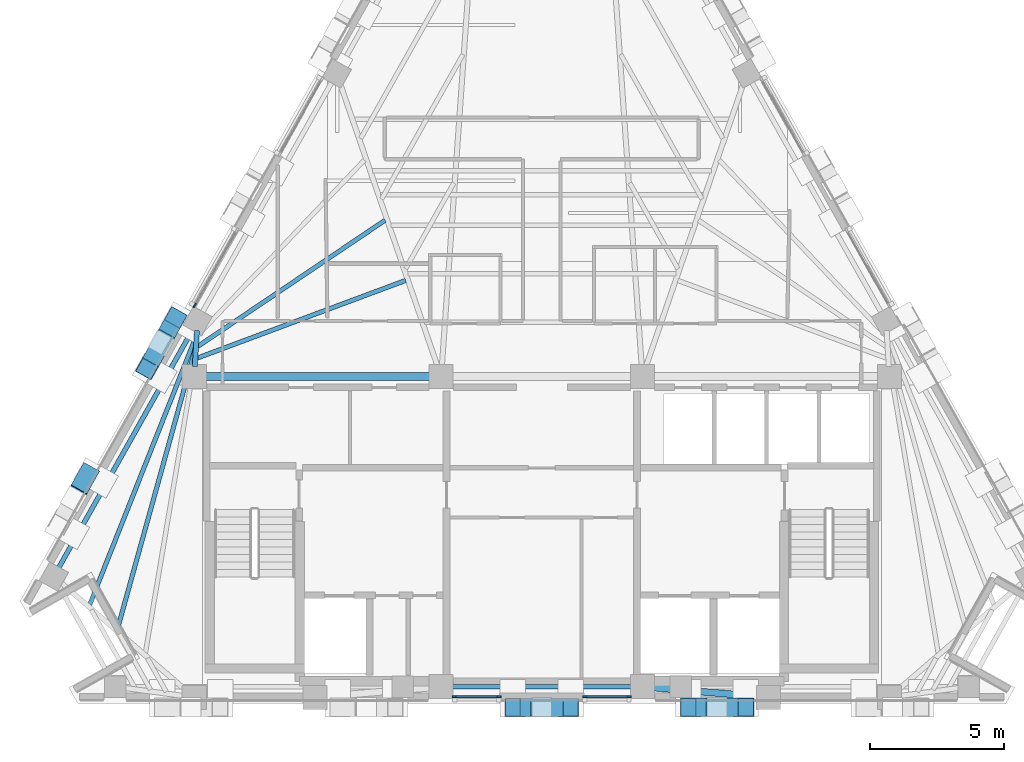
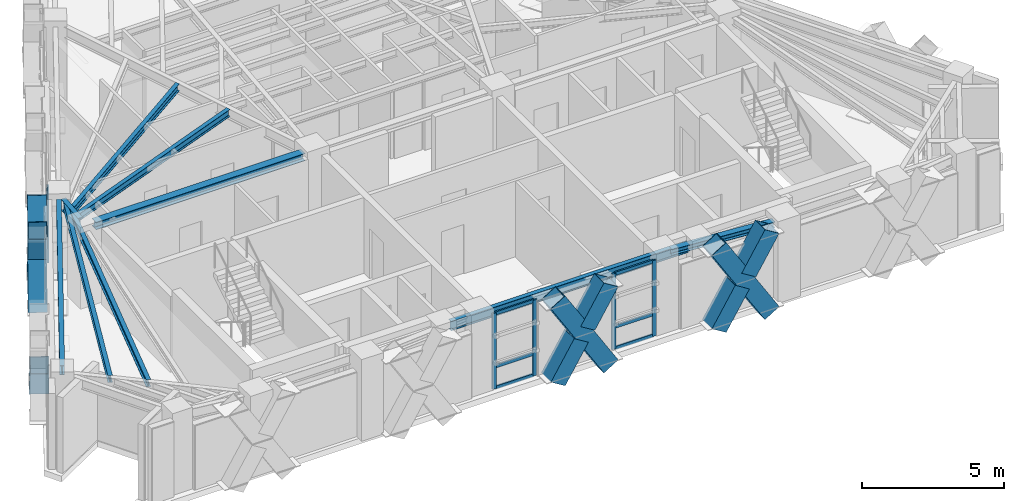
# One storey, part 2 of 11: 21 members, 9 beams, 3 elements without a shape of their own.
"""IFC4 building model written with IfcOpenShell, lengths in metres."""

from ifc_helpers import new_model, si_unit, direction, frame, origin, origin_2d, place, context, subcontext, project, spatial, rectangle, hollow_rectangle, i_section, extrude, material, material_profile, profile_set, type_object, element, aggregate, save


model = new_model("IFC4")

# Units and contexts
model_context = context("Model", 3, precision=1e-05, world=origin(), true_north=direction((0.0, 1.0)))
body_context = subcontext(model_context, "Body", "Model", "MODEL_VIEW")
ifc_project = project(units=[si_unit("LENGTHUNIT", "METRE"), si_unit("AREAUNIT", "SQUARE_METRE"), si_unit("VOLUMEUNIT", "CUBIC_METRE"), si_unit("PLANEANGLEUNIT", "RADIAN"), si_unit("MASSUNIT", "GRAM", prefix="KILO")], contexts=[model_context])

# Site, building, storey
site_placement = place(None, origin())
site = spatial("IfcSite", under=ifc_project, at=site_placement, CompositionType="ELEMENT")
building_placement = place(site_placement, origin())
building = spatial("IfcBuilding", under=site, at=building_placement, Name="Quenlor Broadcast Tower", CompositionType="ELEMENT")
storey_placement = place(building_placement, frame((0.0, 0.0, 253.39990234375)))
storey = spatial("IfcBuildingStorey", under=building, at=storey_placement, Name="L70", CompositionType="ELEMENT", Elevation=253.39990234375)

# Curtain wall, members
ifc_material_1 = material(Name="Architectural Terracotta and Low-E Glazing", Category="masonry")
curtain_wall_type = type_object("IfcCurtainWallType", Name="Unitised Terracotta Curtain Wall System Z5", PredefinedType="NOTDEFINED", material=ifc_material_1)
curtain_wall_1_placement = place(storey_placement, origin())
curtain_wall_1 = element("IfcCurtainWall", 1, at=curtain_wall_1_placement, inside=storey, type_object=curtain_wall_type, Name="L70 Curtain Wall CW5 (L70-S-G1)", PredefinedType="NOTDEFINED")
ifc_material_2 = material(Name="Aluminium 6063-T6", Category="aluminium")
ifc_material_profile_1 = material_profile(ifc_material_2, rectangle(XDim=0.06494140625, YDim=0.169921875, at=origin_2d()))
ifc_profile_set_1 = profile_set([ifc_material_profile_1], Name="Aluminium 6063-T6 MULL65x170")
member_type_1 = type_object("IfcMemberType", Name="CW5 Aluminium Mullion MULL_CW5", PredefinedType="MULLION", material=ifc_profile_set_1)
member_1_placement = place(storey_placement, frame((3.24755859375, -16.72509765625, 0.0), z_axis=(0.0, 0.0, 1.0), x_axis=(0.0, -1.0, 0.0)))
member_1 = element("IfcMember", 2, at=member_1_placement, type_object=member_type_1, Name="CW5 mullion 1", PredefinedType="MULLION", context=body_context, shape_type="SweptSolid", body=[
    extrude(rectangle(XDim=0.06494140625, YDim=0.169921875, at=origin_2d()), origin(), (0.0, 0.0, 1.0), 3.25),
])
member_2_placement = place(storey_placement, frame((1.60400390625, -16.72509765625, 0.0), z_axis=(0.0, 0.0, 1.0), x_axis=(0.0, -1.0, 0.0)))
member_2 = element("IfcMember", 3, at=member_2_placement, type_object=member_type_1, Name="CW5 mullion 2", PredefinedType="MULLION", context=body_context, shape_type="SweptSolid", body=[
    extrude(rectangle(XDim=0.06494140625, YDim=0.169921875, at=origin_2d()), origin(), (0.0, 0.0, 1.0), 3.25),
])

curtain_wall_2_placement = place(storey_placement, origin())
curtain_wall_2 = element("IfcCurtainWall", 4, at=curtain_wall_2_placement, inside=storey, type_object=curtain_wall_type, Name="L70 Curtain Wall CW5 (L70-S-G2)", PredefinedType="NOTDEFINED")
member_3_placement = place(storey_placement, frame((-1.60400390625, -16.72509765625, 0.0), z_axis=(0.0, 0.0, 1.0), x_axis=(0.0, -1.0, 0.0)))
member_3 = element("IfcMember", 5, at=member_3_placement, type_object=member_type_1, Name="CW5 mullion 1", PredefinedType="MULLION", context=body_context, shape_type="SweptSolid", body=[
    extrude(rectangle(XDim=0.06494140625, YDim=0.169921875, at=origin_2d()), origin(), (0.0, 0.0, 1.0), 3.25),
])
member_4_placement = place(storey_placement, frame((-3.24755859375, -16.72509765625, 0.0), z_axis=(0.0, 0.0, 1.0), x_axis=(0.0, -1.0, 0.0)))
member_4 = element("IfcMember", 6, at=member_4_placement, type_object=member_type_1, Name="CW5 mullion 2", PredefinedType="MULLION", context=body_context, shape_type="SweptSolid", body=[
    extrude(rectangle(XDim=0.06494140625, YDim=0.169921875, at=origin_2d()), origin(), (0.0, 0.0, 1.0), 3.25),
])

# Curtain wall, member
curtain_wall_3_placement = place(storey_placement, origin())
curtain_wall_3 = element("IfcCurtainWall", 7, at=curtain_wall_3_placement, inside=storey, type_object=curtain_wall_type, Name="L70 Curtain Wall CW5 (L70-NW-G1)", PredefinedType="NOTDEFINED")
member_5_placement = place(storey_placement, frame((-12.930419921875, -2.1484375, 0.0), z_axis=(0.0, 0.0, 1.0), x_axis=(-0.871574721405, 0.490262689797, 0.0)))
member_5 = element("IfcMember", 8, at=member_5_placement, type_object=member_type_1, Name="CW5 mullion 1", PredefinedType="MULLION", context=body_context, shape_type="SweptSolid", body=[
    extrude(rectangle(XDim=0.06494140625, YDim=0.169921875, at=origin_2d()), origin(), (0.0, 0.0, 1.0), 3.25),
])
aggregate(curtain_wall_3, [member_5])

# Member
ifc_material_3 = material(Name="Aluminium 6063-T6", Category="aluminium")
ifc_material_profile_2 = material_profile(ifc_material_3, rectangle(XDim=0.06494140625, YDim=0.139892578125, at=origin_2d()))
ifc_profile_set_2 = profile_set([ifc_material_profile_2], Name="Aluminium 6063-T6 TRAN65x140")
member_type_2 = type_object("IfcMemberType", Name="CW5 Aluminium Transom TRAN_CW5", PredefinedType="USERDEFINED", material=ifc_profile_set_2)
member_6_placement = place(storey_placement, frame((3.215087890625, -16.72509765625, 0.03271484375), z_axis=(-1.0, 0.0, 0.0), x_axis=(0.0, -1.0, 0.0)))
member_6 = element("IfcMember", 9, at=member_6_placement, type_object=member_type_2, Name="CW5 transom 1.1", ObjectType="TRANSOM", PredefinedType="USERDEFINED", context=body_context, shape_type="SweptSolid", body=[
    extrude(rectangle(XDim=0.06494140625, YDim=0.139892578125, at=origin_2d()), origin(), (0.0, 0.0, 1.0), 1.578369140625),
])

member_7_placement = place(storey_placement, frame((3.215087890625, -16.72509765625, 0.9501953125), z_axis=(-1.0, 0.0, 0.0), x_axis=(0.0, -1.0, 0.0)))
member_7 = element("IfcMember", 10, at=member_7_placement, type_object=member_type_2, Name="CW5 transom 1.2", ObjectType="TRANSOM", PredefinedType="USERDEFINED", context=body_context, shape_type="SweptSolid", body=[
    extrude(rectangle(XDim=0.06494140625, YDim=0.139892578125, at=origin_2d()), origin(), (0.0, 0.0, 1.0), 1.578369140625),
])

member_8_placement = place(storey_placement, frame((3.215087890625, -16.72509765625, 3.217529296875), z_axis=(-1.0, 0.0, 0.0), x_axis=(0.0, -1.0, 0.0)))
member_8 = element("IfcMember", 11, at=member_8_placement, type_object=member_type_2, Name="CW5 transom 1.3", ObjectType="TRANSOM", PredefinedType="USERDEFINED", context=body_context, shape_type="SweptSolid", body=[
    extrude(rectangle(XDim=0.06494140625, YDim=0.139892578125, at=origin_2d()), origin(), (0.0, 0.0, 1.0), 1.578369140625),
])

aggregate(curtain_wall_1, [member_1, member_2, member_6, member_7, member_8])

member_9_placement = place(storey_placement, frame((-1.63671875, -16.72509765625, 0.03271484375), z_axis=(-1.0, 0.0, 0.0), x_axis=(0.0, -1.0, 0.0)))
member_9 = element("IfcMember", 12, at=member_9_placement, type_object=member_type_2, Name="CW5 transom 1.1", ObjectType="TRANSOM", PredefinedType="USERDEFINED", context=body_context, shape_type="SweptSolid", body=[
    extrude(rectangle(XDim=0.06494140625, YDim=0.139892578125, at=origin_2d()), origin(), (0.0, 0.0, 1.0), 1.578369140625),
])

member_10_placement = place(storey_placement, frame((-1.63671875, -16.72509765625, 0.9501953125), z_axis=(-1.0, 0.0, 0.0), x_axis=(0.0, -1.0, 0.0)))
member_10 = element("IfcMember", 13, at=member_10_placement, type_object=member_type_2, Name="CW5 transom 1.2", ObjectType="TRANSOM", PredefinedType="USERDEFINED", context=body_context, shape_type="SweptSolid", body=[
    extrude(rectangle(XDim=0.06494140625, YDim=0.139892578125, at=origin_2d()), origin(), (0.0, 0.0, 1.0), 1.578369140625),
])

member_11_placement = place(storey_placement, frame((-1.63671875, -16.72509765625, 3.217529296875), z_axis=(-1.0, 0.0, 0.0), x_axis=(0.0, -1.0, 0.0)))
member_11 = element("IfcMember", 14, at=member_11_placement, type_object=member_type_2, Name="CW5 transom 1.3", ObjectType="TRANSOM", PredefinedType="USERDEFINED", context=body_context, shape_type="SweptSolid", body=[
    extrude(rectangle(XDim=0.06494140625, YDim=0.139892578125, at=origin_2d()), origin(), (0.0, 0.0, 1.0), 1.578369140625),
])

aggregate(curtain_wall_2, [member_3, member_4, member_9, member_10, member_11])

# Beams
ifc_material_4 = material(Name="Steel S355", Category="steel")
ifc_material_profile_3 = material_profile(ifc_material_4, i_section(OverallWidth=0.25390625, OverallDepth=0.25390625, WebThickness=0.008544921875, FlangeThickness=0.01416015625, FilletRadius=0.013916015625, at=origin_2d()))
ifc_profile_set_3 = profile_set([ifc_material_profile_3], Name="Steel S355 250UC72.9")
beam_type_1 = type_object("IfcBeamType", Name="Core Opening Lintel Beam Steel S355 250UC72.9", PredefinedType="LINTEL", material=ifc_profile_set_3)
beam_1_placement = place(storey_placement, frame((4.108642578125, -16.380615234375, 3.123291015625), z_axis=(0.996399763903, -0.084779186679, 0.0), x_axis=(0.084779186679, 0.996399763903, 0.0)))
element("IfcBeam", 15, at=beam_1_placement, inside=storey, type_object=beam_type_1, Name="L70 Core Opening Lintel Beam 5", PredefinedType="LINTEL", context=body_context, shape_type="SweptSolid", body=[
    extrude(i_section(OverallWidth=0.25390625, OverallDepth=0.25390625, WebThickness=0.008544921875, FlangeThickness=0.01416015625, FilletRadius=0.013916015625, at=origin_2d()), origin(), (0.0, 0.0, 1.0), 3.9970703125),
])
ifc_material_5 = material(Name="Steel S355", Category="steel")
ifc_material_profile_4 = material_profile(ifc_material_5, i_section(OverallWidth=0.306884765625, OverallDepth=0.314697265625, WebThickness=0.011962890625, FlangeThickness=0.018798828125, FilletRadius=0.0166015625, at=origin_2d()))
ifc_profile_set_4 = profile_set([ifc_material_profile_4], Name="Steel S355 310UC118")
beam_type_2 = type_object("IfcBeamType", Name="Core Tie Beam Steel S355 310UC118", PredefinedType="BEAM", material=ifc_profile_set_4)
beam_2_placement = place(storey_placement, frame((-12.590087890625, -4.800048828125, 3.0927734375), z_axis=(1.0, 0.0, 0.0), x_axis=(0.0, 1.0, 0.0)))
element("IfcBeam", 16, at=beam_2_placement, inside=storey, type_object=beam_type_2, Name="L70 Core Tie Beam 1", PredefinedType="BEAM", context=body_context, shape_type="SweptSolid", body=[
    extrude(i_section(OverallWidth=0.306884765625, OverallDepth=0.314697265625, WebThickness=0.011962890625, FlangeThickness=0.018798828125, FilletRadius=0.0166015625, at=origin_2d()), origin(), (0.0, 0.0, 1.0), 8.47998046875),
])

# Members
ifc_material_6 = material(Name="Steel S355", Category="steel")
ifc_material_profile_5 = material_profile(ifc_material_6, hollow_rectangle(XDim=0.679931640625, YDim=0.679931640625, WallThickness=0.02001953125, at=origin_2d()))
ifc_profile_set_5 = profile_set([ifc_material_profile_5], Name="Steel S355 RHS680x680x20")
member_type_3 = type_object("IfcMemberType", Name="Perimeter Diagonal Lattice Brace Z5-Crown Steel S355 RHS680x20", PredefinedType="BRACE", material=ifc_profile_set_5)
member_12_placement = place(storey_placement, frame((7.607666015625, -17.1201171875, -0.119873046875), z_axis=(-0.5236596973, 0.0, 0.851927532965), x_axis=(0.0, -1.0, 0.0)))
element("IfcMember", 17, at=member_12_placement, inside=storey, type_object=member_type_3, Name="L70 Perimeter Diamond Lattice S-C2XA", PredefinedType="BRACE", context=body_context, shape_type="SweptSolid", body=[
    extrude(hollow_rectangle(XDim=0.679931640625, YDim=0.679931640625, WallThickness=0.02001953125, at=origin_2d()), origin(), (0.0, 0.0, 1.0), 4.1083984375),
])
member_13_placement = place(storey_placement, frame((5.456298828125, -17.1201171875, -0.119873046875), z_axis=(0.523719849356, 0.0, 0.851890555993), x_axis=(0.0, 1.0, 0.0)))
element("IfcMember", 18, at=member_13_placement, inside=storey, type_object=member_type_3, Name="L70 Perimeter Diamond Lattice S-C2XB1", PredefinedType="BRACE", context=body_context, shape_type="SweptSolid", body=[
    extrude(hollow_rectangle(XDim=0.679931640625, YDim=0.679931640625, WallThickness=0.02001953125, at=origin_2d()), origin(), (0.0, 0.0, 1.0), 1.803955078125),
])
member_14_placement = place(storey_placement, frame((6.662841796875, -17.1201171875, 1.843017578125), z_axis=(0.523659478087, 0.0, 0.85192766771), x_axis=(0.0, 1.0, 0.0)))
element("IfcMember", 19, at=member_14_placement, inside=storey, type_object=member_type_3, Name="L70 Perimeter Diamond Lattice S-C2XB2", PredefinedType="BRACE", context=body_context, shape_type="SweptSolid", body=[
    extrude(hollow_rectangle(XDim=0.679931640625, YDim=0.679931640625, WallThickness=0.02001953125, at=origin_2d()), origin(), (0.0, 0.0, 1.0), 1.80419921875),
])
member_15_placement = place(storey_placement, frame((1.07568359375, -17.1201171875, -0.119873046875), z_axis=(-0.5236596973, 0.0, 0.851927532965), x_axis=(0.0, -1.0, 0.0)))
element("IfcMember", 20, at=member_15_placement, inside=storey, type_object=member_type_3, Name="L70 Perimeter Diamond Lattice S-C3XA", PredefinedType="BRACE", context=body_context, shape_type="SweptSolid", body=[
    extrude(hollow_rectangle(XDim=0.679931640625, YDim=0.679931640625, WallThickness=0.02001953125, at=origin_2d()), origin(), (0.0, 0.0, 1.0), 4.1083984375),
])
member_16_placement = place(storey_placement, frame((-1.07568359375, -17.1201171875, -0.119873046875), z_axis=(0.523719849356, 0.0, 0.851890555993), x_axis=(0.0, 1.0, 0.0)))
element("IfcMember", 21, at=member_16_placement, inside=storey, type_object=member_type_3, Name="L70 Perimeter Diamond Lattice S-C3XB1", PredefinedType="BRACE", context=body_context, shape_type="SweptSolid", body=[
    extrude(hollow_rectangle(XDim=0.679931640625, YDim=0.679931640625, WallThickness=0.02001953125, at=origin_2d()), origin(), (0.0, 0.0, 1.0), 1.803955078125),
])
member_17_placement = place(storey_placement, frame((0.130859375, -17.1201171875, 1.843017578125), z_axis=(0.523659478087, 0.0, 0.85192766771), x_axis=(0.0, 1.0, 0.0)))
element("IfcMember", 22, at=member_17_placement, inside=storey, type_object=member_type_3, Name="L70 Perimeter Diamond Lattice S-C3XB2", PredefinedType="BRACE", context=body_context, shape_type="SweptSolid", body=[
    extrude(hollow_rectangle(XDim=0.679931640625, YDim=0.679931640625, WallThickness=0.02001953125, at=origin_2d()), origin(), (0.0, 0.0, 1.0), 1.80419921875),
])
member_18_placement = place(storey_placement, frame((-16.905517578125, -8.40966796875, -0.119873046875), z_axis=(-0.26068648878, -0.463293264743, 0.846995811921), x_axis=(0.871507987664, -0.490381308207, 0.0)))
element("IfcMember", 23, at=member_18_placement, inside=storey, type_object=member_type_3, Name="L70 Perimeter Diamond Lattice NW-C1XB1", PredefinedType="BRACE", context=body_context, shape_type="SweptSolid", body=[
    extrude(hollow_rectangle(XDim=0.679931640625, YDim=0.679931640625, WallThickness=0.02001953125, at=origin_2d()), origin(), (0.0, 0.0, 1.0), 1.81591796875),
])
member_19_placement = place(storey_placement, frame((-14.712646484375, -4.510986328125, -0.119873046875), z_axis=(0.260563732169, 0.463283497491, 0.847038926161), x_axis=(-0.871602253711, 0.49021374045, 0.0)))
element("IfcMember", 24, at=member_19_placement, inside=storey, type_object=member_type_3, Name="L70 Perimeter Diamond Lattice NW-C2XA", PredefinedType="BRACE", context=body_context, shape_type="SweptSolid", body=[
    extrude(hollow_rectangle(XDim=0.679931640625, YDim=0.679931640625, WallThickness=0.02001953125, at=origin_2d()), origin(), (0.0, 0.0, 1.0), 4.132080078125),
])
for number, where, z_axis, x_axis, name in (
    (25, (-13.635986328125, -2.5966796875, -0.119873046875), (-0.260561174869, -0.463309498762, 0.847025491062), (0.871616063886, -0.490189185087, 0.0), "L70 Perimeter Diamond Lattice NW-C2XB1"),
    (26, (-14.239501953125, -3.669921875, 1.841796875), (-0.26054772884, -0.463151148531, 0.847116222611), (0.871555267041, -0.490297273593, 0.0), "L70 Perimeter Diamond Lattice NW-C2XB2"),
):
    element("IfcMember", number, at=place(storey_placement, frame(where, z_axis=z_axis, x_axis=x_axis)), inside=storey, type_object=member_type_3, Name=name, PredefinedType="BRACE", context=body_context, shape_type="SweptSolid", body=[
        extrude(hollow_rectangle(XDim=0.679931640625, YDim=0.679931640625, WallThickness=0.02001953125, at=origin_2d()), origin(), (0.0, 0.0, 1.0), 1.81591796875),
    ])

# Beams
ifc_material_7 = material(Name="Steel S355", Category="steel")
ifc_material_profile_6 = material_profile(ifc_material_7, i_section(OverallWidth=0.177978515625, OverallDepth=0.406494140625, WebThickness=0.0078125, FlangeThickness=0.0126953125, FilletRadius=0.011474609375, at=origin_2d()))
ifc_profile_set_6 = profile_set([ifc_material_profile_6], Name="Steel S355 410UB59.7")
beam_type_3 = type_object("IfcBeamType", Name="Perimeter Spandrel Beam Z5 Steel S355 410UB59.7", PredefinedType="SPANDREL", material=ifc_profile_set_6)
beam_3_placement = place(storey_placement, frame((-4.823974609375, -16.35009765625, 3.046875), z_axis=(1.0, 0.0, 0.0), x_axis=(0.0, 1.0, 0.0)))
element("IfcBeam", 27, at=beam_3_placement, inside=storey, type_object=beam_type_3, Name="L70 Spandrel Beam S2-S3", PredefinedType="SPANDREL", context=body_context, shape_type="SweptSolid", body=[
    extrude(i_section(OverallWidth=0.177978515625, OverallDepth=0.406494140625, WebThickness=0.0078125, FlangeThickness=0.0126953125, FilletRadius=0.011474609375, at=origin_2d()), origin(), (0.0, 0.0, 1.0), 9.64794921875),
])
beam_4_placement = place(storey_placement, frame((-13.001953125, -3.04052734375, 3.046875), z_axis=(-0.490274867878, -0.871567871096, 0.0), x_axis=(0.871567871096, -0.490274867878, 0.0)))
element("IfcBeam", 28, at=beam_4_placement, inside=storey, type_object=beam_type_3, Name="L70 Spandrel Beam NW3-NW4", PredefinedType="SPANDREL", context=body_context, shape_type="SweptSolid", body=[
    extrude(i_section(OverallWidth=0.177978515625, OverallDepth=0.406494140625, WebThickness=0.0078125, FlangeThickness=0.0126953125, FilletRadius=0.011474609375, at=origin_2d()), origin(), (0.0, 0.0, 1.0), 10.206298828125),
])
ifc_material_8 = material(Name="Steel S355", Category="steel")
ifc_material_profile_7 = material_profile(ifc_material_8, i_section(OverallWidth=0.166015625, OverallDepth=0.30712890625, WebThickness=0.006591796875, FlangeThickness=0.01171875, FilletRadius=0.011474609375, at=origin_2d()))
ifc_profile_set_7 = profile_set([ifc_material_profile_7], Name="Steel S355 310UB46.2")
beam_type_4 = type_object("IfcBeamType", Name="Tower Composite Joist Z4-Z5 Steel S355 310UB46.2", PredefinedType="JOIST", material=ifc_profile_set_7)
beam_5_placement = place(storey_placement, frame((-12.835205078125, -4.108642578125, 3.096435546875), z_axis=(0.937062080226, 0.349162795559, 0.0), x_axis=(-0.349162795559, 0.937062080226, 0.0)))
element("IfcBeam", 29, at=beam_5_placement, inside=storey, type_object=beam_type_4, Name="L70 Secondary Composite Joist 7", PredefinedType="JOIST", context=body_context, shape_type="SweptSolid", body=[
    extrude(i_section(OverallWidth=0.166015625, OverallDepth=0.30712890625, WebThickness=0.006591796875, FlangeThickness=0.01171875, FilletRadius=0.011474609375, at=origin_2d()), origin(), (0.0, 0.0, 1.0), 8.286376953125),
])
beam_6_placement = place(storey_placement, frame((-12.81884765625, -3.67724609375, 3.096435546875), z_axis=(0.829286301475, 0.558823970661, 0.0), x_axis=(-0.558823970661, 0.829286301475, 0.0)))
element("IfcBeam", 30, at=beam_6_placement, inside=storey, type_object=beam_type_4, Name="L70 Secondary Composite Joist 8", PredefinedType="JOIST", context=body_context, shape_type="SweptSolid", body=[
    extrude(i_section(OverallWidth=0.166015625, OverallDepth=0.30712890625, WebThickness=0.006591796875, FlangeThickness=0.01171875, FilletRadius=0.011474609375, at=origin_2d()), origin(), (0.0, 0.0, 1.0), 8.415771484375),
])
beam_7_placement = place(storey_placement, frame((-15.806396484375, -14.197998046875, 3.096435546875), z_axis=(0.26744552871, 0.96357298072, 0.0), x_axis=(-0.96357298072, 0.26744552871, 0.0)))
element("IfcBeam", 31, at=beam_7_placement, inside=storey, type_object=beam_type_4, Name="L70 Secondary Composite Joist 14", PredefinedType="JOIST", context=body_context, shape_type="SweptSolid", body=[
    extrude(i_section(OverallWidth=0.166015625, OverallDepth=0.30712890625, WebThickness=0.006591796875, FlangeThickness=0.01171875, FilletRadius=0.011474609375, at=origin_2d()), origin(), (0.0, 0.0, 1.0), 10.856689453125),
])
beam_8_placement = place(storey_placement, frame((-16.8447265625, -13.300537109375, 3.096435546875), z_axis=(0.368680258049, 0.929556274426, 0.0), x_axis=(-0.929556274426, 0.368680258049, 0.0)))
element("IfcBeam", 32, at=beam_8_placement, inside=storey, type_object=beam_type_4, Name="L70 Secondary Composite Joist 15", PredefinedType="JOIST", context=body_context, shape_type="SweptSolid", body=[
    extrude(i_section(OverallWidth=0.166015625, OverallDepth=0.30712890625, WebThickness=0.006591796875, FlangeThickness=0.01171875, FilletRadius=0.011474609375, at=origin_2d()), origin(), (0.0, 0.0, 1.0), 10.737548828125),
])
ifc_material_9 = material(Name="Steel S355", Category="steel")
ifc_material_profile_8 = material_profile(ifc_material_9, i_section(OverallWidth=0.19091796875, OverallDepth=0.46044921875, WebThickness=0.010009765625, FlangeThickness=0.01611328125, FilletRadius=0.011474609375, at=origin_2d()))
ifc_profile_set_8 = profile_set([ifc_material_profile_8], Name="Steel S355 460UB82.1")
beam_type_5 = type_object("IfcBeamType", Name="Tower Primary Floor Beam Z5 Steel S355 460UB82.1", PredefinedType="BEAM", material=ifc_profile_set_8)
beam_9_placement = place(storey_placement, frame((-12.84716796875, -3.086181640625, 3.02001953125), z_axis=(-0.059899569349, -0.998204408722, 0.0), x_axis=(0.998204408722, -0.059899569349, 0.0)))
element("IfcBeam", 33, at=beam_9_placement, inside=storey, type_object=beam_type_5, Name="L70 Primary Radial Beam NW3", PredefinedType="BEAM", context=body_context, shape_type="SweptSolid", body=[
    extrude(i_section(OverallWidth=0.19091796875, OverallDepth=0.46044921875, WebThickness=0.010009765625, FlangeThickness=0.01611328125, FilletRadius=0.011474609375, at=origin_2d()), origin(), (0.0, 0.0, 1.0), 1.3369140625),
])

save(model, "model.ifc")
